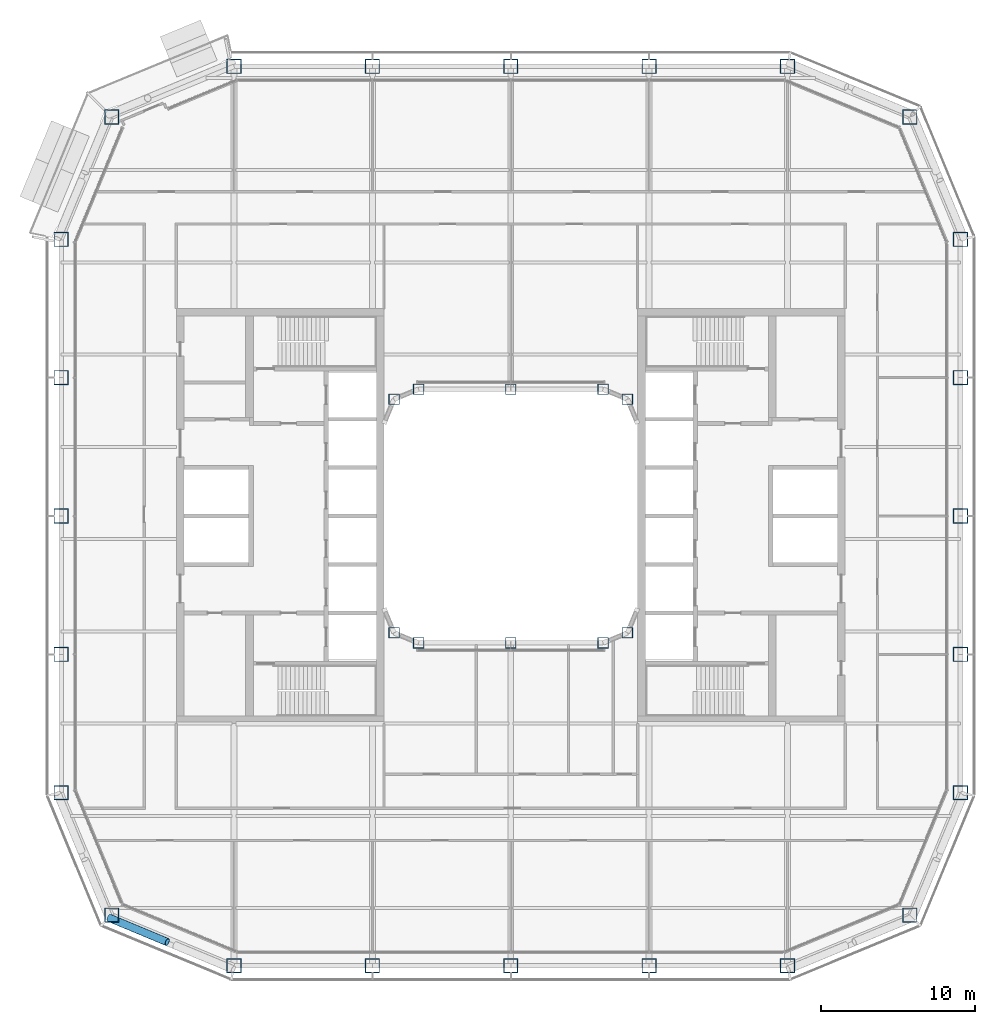
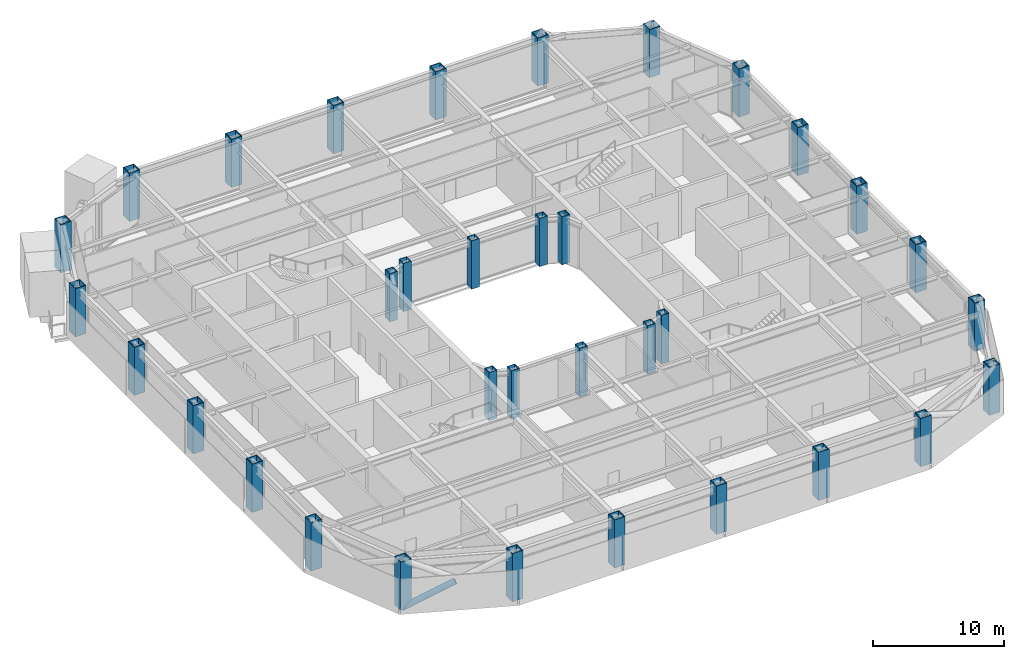
# One storey, part 1 of 23: 34 columns, 1 member.
"""IFC4 building model written with IfcOpenShell, lengths in metres."""

from ifc_helpers import new_model, si_unit, direction, frame, origin, origin_2d, place, context, subcontext, project, spatial, hollow_rectangle, hollow_circle, extrude, material, material_profile, profile_set, type_object, element, save


model = new_model("IFC4")

# Units and contexts
model_context = context("Model", 3, precision=1e-05, world=origin(), true_north=direction((0.0, 1.0)))
body_context = subcontext(model_context, "Body", "Model", "MODEL_VIEW")
ifc_project = project(units=[si_unit("LENGTHUNIT", "METRE"), si_unit("AREAUNIT", "SQUARE_METRE"), si_unit("VOLUMEUNIT", "CUBIC_METRE"), si_unit("PLANEANGLEUNIT", "RADIAN"), si_unit("MASSUNIT", "GRAM", prefix="KILO")], contexts=[model_context])

# Site, building, storey
site_placement = place(None, origin())
site = spatial("IfcSite", under=ifc_project, at=site_placement, CompositionType="ELEMENT")
building_placement = place(site_placement, origin())
building = spatial("IfcBuilding", under=site, at=building_placement, Name="Siwar Civic Tower", CompositionType="ELEMENT")
storey_placement = place(building_placement, frame((0.0, 0.0, 136.199951171875)))
storey = spatial("IfcBuildingStorey", under=building, at=storey_placement, Name="L29", CompositionType="ELEMENT", Elevation=136.199951171875)

# Columns
ifc_material_1 = material(Name="Steel S355", Category="steel")
ifc_material_profile_1 = material_profile(ifc_material_1, hollow_rectangle(XDim=0.949951171875, YDim=0.949951171875, WallThickness=0.054931640625, at=origin_2d()), Name="BOX950x950x55")
ifc_profile_set_1 = profile_set([ifc_material_profile_1], Name="Steel S355")
column_type_1 = type_object("IfcColumnType", Name="STR-COL-BOX950x950x55", PredefinedType="COLUMN", material=ifc_profile_set_1)
for number, where, z_axis, x_axis, name in (
    (1, (-18.0, -29.25, 0.0), (0.0, 0.0, 1.0), (1.0, 0.0, 0.0), "L29/col/S-0"),
    (2, (-9.0, -29.25, 0.0), (0.0, 0.0, 1.0), (1.0, 0.0, 0.0), "L29/col/S-1"),
    (3, (0.0, -29.25, 0.0), (0.0, 0.0, 1.0), (1.0, 0.0, 0.0), "L29/col/S-2"),
    (4, (9.0, -29.25, 0.0), (0.0, 0.0, 1.0), (1.0, 0.0, 0.0), "L29/col/S-3"),
    (5, (18.0, -29.25, 0.0), (0.0, 0.0, 1.0), (1.0, 0.0, 0.0), "L29/col/SE1-0"),
    (6, (25.954833984375, -25.954833984375, 0.0), (0.0, 0.0, 1.0), (1.0, 0.0, 0.0), "L29/col/SE2-0"),
    (7, (29.25, -18.0, 0.0), (0.0, 0.0, 1.0), (1.0, 0.0, 0.0), "L29/col/E-0"),
    (8, (29.25, -9.0, 0.0), (0.0, 0.0, 1.0), (1.0, 0.0, 0.0), "L29/col/E-1"),
    (9, (29.25, 0.0, 0.0), (0.0, 0.0, 1.0), (1.0, 0.0, 0.0), "L29/col/E-2"),
    (10, (29.25, 9.0, 0.0), (0.0, 0.0, 1.0), (1.0, 0.0, 0.0), "L29/col/E-3"),
    (11, (29.25, 18.0, 0.0), (0.0, 0.0, 1.0), (1.0, 0.0, 0.0), "L29/col/NE1-0"),
    (12, (25.954833984375, 25.954833984375, 0.0), (0.0, 0.0, 1.0), (1.0, 0.0, 0.0), "L29/col/NE2-0"),
    (13, (18.0, 29.25, 0.0), (0.0, 0.0, 1.0), (1.0, 0.0, 0.0), "L29/col/N-0"),
    (14, (9.0, 29.25, 0.0), (0.0, 0.0, 1.0), (1.0, 0.0, 0.0), "L29/col/N-1"),
    (15, (0.0, 29.25, 0.0), (0.0, 0.0, 1.0), (1.0, 0.0, 0.0), "L29/col/N-2"),
    (16, (-9.0, 29.25, 0.0), (0.0, 0.0, 1.0), (1.0, 0.0, 0.0), "L29/col/N-3"),
    (17, (-18.0, 29.25, 0.0), (0.0, 0.0, 1.0), (1.0, 0.0, 0.0), "L29/col/NW1-0"),
    (18, (-25.954833984375, 25.954833984375, 0.0), (0.0, 0.0, 1.0), (1.0, 0.0, 0.0), "L29/col/NW2-0"),
    (19, (-29.25, 18.0, 0.0), (0.0, 0.0, 1.0), (1.0, 0.0, 0.0), "L29/col/W-0"),
    (20, (-29.25, 9.0, 0.0), (0.0, 0.0, 1.0), (1.0, 0.0, 0.0), "L29/col/W-1"),
    (21, (-29.25, 0.0, 0.0), (0.0, 0.0, 1.0), (1.0, 0.0, 0.0), "L29/col/W-2"),
    (22, (-29.25, -9.0, 0.0), (0.0, 0.0, 1.0), (1.0, 0.0, 0.0), "L29/col/W-3"),
    (23, (-29.25, -18.0, 0.0), (0.0, 0.0, 1.0), (1.0, 0.0, 0.0), "L29/col/SW1-0"),
    (24, (-25.954833984375, -25.954833984375, 0.0), (0.0, 0.0, 1.0), (1.0, 0.0, 0.0), "L29/col/SW2-0"),
):
    element("IfcColumn", number, at=place(storey_placement, frame(where, z_axis=z_axis, x_axis=x_axis)), inside=storey, type_object=column_type_1, Name=name, PredefinedType="COLUMN", context=body_context, shape_type="SweptSolid", body=[
        extrude(hollow_rectangle(XDim=0.949951171875, YDim=0.949951171875, WallThickness=0.054931640625, at=origin_2d()), origin(), (0.0, 0.0, 1.0), 4.5),
    ])
ifc_material_2 = material(Name="Steel S355", Category="steel")
ifc_material_profile_2 = material_profile(ifc_material_2, hollow_rectangle(XDim=0.699951171875, YDim=0.699951171875, WallThickness=0.0400390625, at=origin_2d()), Name="BOX700x700x40")
ifc_profile_set_2 = profile_set([ifc_material_profile_2], Name="Steel S355")
column_type_2 = type_object("IfcColumnType", Name="STR-ICOL-BOX700x700x40", PredefinedType="COLUMN", material=ifc_profile_set_2)
for number, where, z_axis, x_axis, name in (
    (25, (-7.591064453125, -7.591064453125, 0.0), (0.0, 0.0, 1.0), (1.0, 0.0, 0.0), "L29/col/IS-0"),
    (26, (-6.0, -8.25, 0.0), (0.0, 0.0, 1.0), (1.0, 0.0, 0.0), "L29/col/IS-1"),
    (27, (0.0, -8.25, 0.0), (0.0, 0.0, 1.0), (1.0, 0.0, 0.0), "L29/col/IS-2"),
    (28, (6.0, -8.25, 0.0), (0.0, 0.0, 1.0), (1.0, 0.0, 0.0), "L29/col/IS-3"),
    (29, (7.591064453125, -7.591064453125, 0.0), (0.0, 0.0, 1.0), (1.0, 0.0, 0.0), "L29/col/IS-4"),
    (30, (-7.591064453125, 7.591064453125, 0.0), (0.0, 0.0, 1.0), (1.0, 0.0, 0.0), "L29/col/IN-0"),
    (31, (-6.0, 8.25, 0.0), (0.0, 0.0, 1.0), (1.0, 0.0, 0.0), "L29/col/IN-1"),
    (32, (0.0, 8.25, 0.0), (0.0, 0.0, 1.0), (1.0, 0.0, 0.0), "L29/col/IN-2"),
    (33, (6.0, 8.25, 0.0), (0.0, 0.0, 1.0), (1.0, 0.0, 0.0), "L29/col/IN-3"),
    (34, (7.591064453125, 7.591064453125, 0.0), (0.0, 0.0, 1.0), (1.0, 0.0, 0.0), "L29/col/IN-4"),
):
    element("IfcColumn", number, at=place(storey_placement, frame(where, z_axis=z_axis, x_axis=x_axis)), inside=storey, type_object=column_type_2, Name=name, PredefinedType="COLUMN", context=body_context, shape_type="SweptSolid", body=[
        extrude(hollow_rectangle(XDim=0.699951171875, YDim=0.699951171875, WallThickness=0.0400390625, at=origin_2d()), origin(), (0.0, 0.0, 1.0), 4.5),
    ])

# Member
ifc_material_3 = material(Name="Steel S355", Category="steel")
ifc_material_profile_3 = material_profile(ifc_material_3, hollow_circle(Radius=0.25390625, WallThickness=0.02490234375, at=origin_2d()), Name="CHS508x25")
ifc_profile_set_3 = profile_set([ifc_material_profile_3], Name="Steel S355")
member_type = type_object("IfcMemberType", Name="STR-BR-CHS508x25", PredefinedType="BRACE", material=ifc_profile_set_3)
member_placement = place(storey_placement, frame((-26.1318359375, -26.1318359375, 0.0), z_axis=(0.821143275065, -0.341662474736, 0.457154760636), x_axis=(0.384154943021, 0.923268638995, 0.0)))
element("IfcMember", 35, at=member_placement, inside=storey, type_object=member_type, Name="L29/brc/BSW1-8-0-2", PredefinedType="BRACE", context=body_context, shape_type="SweptSolid", body=[
    extrude(hollow_circle(Radius=0.25390625, WallThickness=0.02490234375, at=origin_2d()), origin(), (0.0, 0.0, 1.0), 4.61474609375),
])

save(model, "model.ifc")
